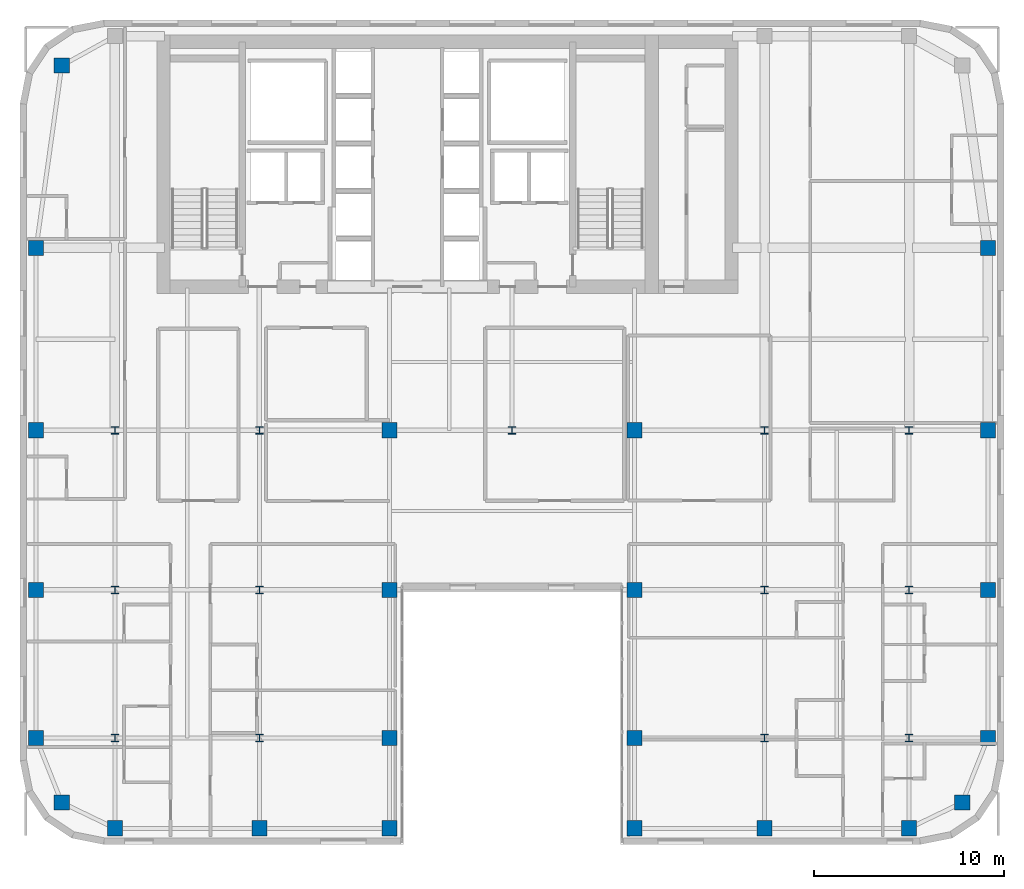
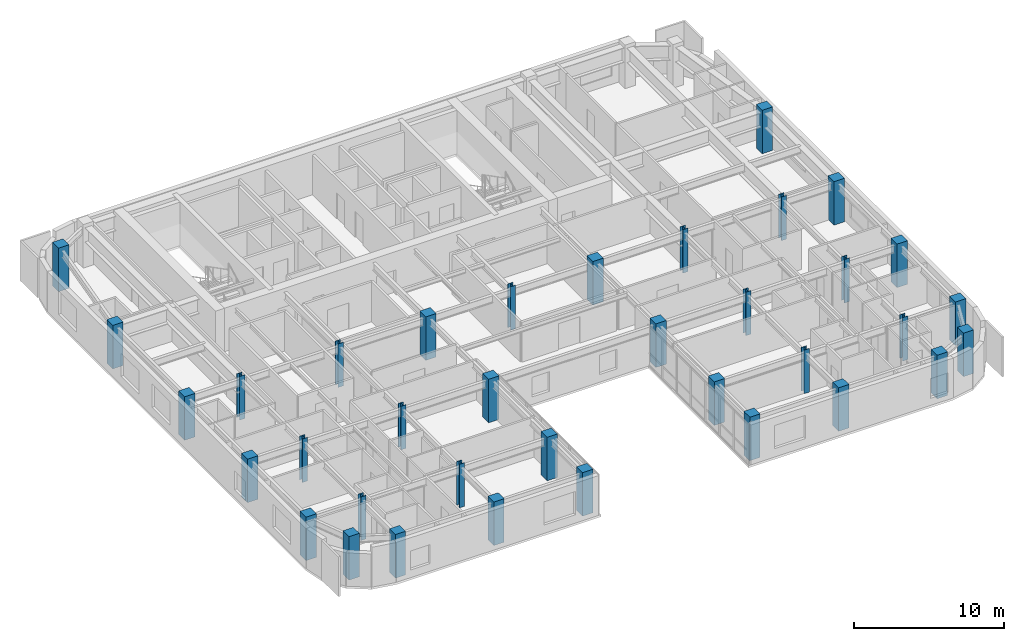
# One storey, part 1 of 14: 36 columns.
"""IFC4 building model written with IfcOpenShell, lengths in metres."""

import ifcopenshell
import ifcopenshell.guid

model = None  # the IFC model being written
_history = None  # IfcOwnerHistory: only IFC2X3 demands one
_inside = {}  # id of a spatial element -> (the spatial element, [elements in it])
_under = {}  # id of a project, library or spatial element -> (it, [spatial elements below it])
_declared = {}  # id of a project -> (the project, [libraries it declares])
_typed = {}  # id of a type object -> (the type object, [elements of that type])
_made_of = {}  # id of a material, layer set ... -> (it, [elements and type objects made of it])


def new_model(schema):
    """Start an empty IFC model of exactly this schema.

    Asked for "IFC4X3", IfcOpenShell would pick the latest addendum, in which some entities
    have other attributes; the version numbers below select the first issue.
    IFC2X3 requires an IfcOwnerHistory on every rooted entity: one is made here for all.
    """
    global model, _history
    if schema == "IFC4X3":
        model = ifcopenshell.file(schema_version=(4, 3, 0, 0))
    else:
        model = ifcopenshell.file(schema=schema)
    _inside.clear()
    _under.clear()
    _declared.clear()
    _typed.clear()
    _made_of.clear()
    _history = None
    if model.schema == "IFC2X3":
        org = make("IfcOrganization", Name="unknown")
        user = make(
            "IfcPersonAndOrganization",
            ThePerson=make("IfcPerson", FamilyName="unknown"),
            TheOrganization=org,
        )
        app = make(
            "IfcApplication",
            ApplicationDeveloper=org,
            Version="unknown",
            ApplicationFullName="unknown",
            ApplicationIdentifier="unknown",
        )
        _history = make(
            "IfcOwnerHistory",
            OwningUser=user,
            OwningApplication=app,
            ChangeAction="ADDED",
            CreationDate=0,
        )
    return model


def make(cls, **values):
    """One entity of the class cls with the attributes given. An attribute that is None is left unset."""
    return model.create_entity(
        cls, **{name: value for name, value in values.items() if value is not None}
    )


def rooted(cls, **values):
    """An entity with a GlobalId (a new one), such as an element, a storey or a relation."""
    return make(cls, GlobalId=ifcopenshell.guid.new(), OwnerHistory=_history, **values)


def si_unit(unit_type, name, prefix=None):
    """IfcSIUnit, for example si_unit("LENGTHUNIT", "METRE", prefix="MILLI")."""
    return make("IfcSIUnit", UnitType=unit_type, Prefix=prefix, Name=name)


def assignment(units):
    """IfcUnitAssignment: the units of a project."""
    return None if units is None else make("IfcUnitAssignment", Units=units)


def point(xyz):
    """IfcCartesianPoint."""
    return None if xyz is None else make("IfcCartesianPoint", Coordinates=xyz)


def direction(xyz):
    """IfcDirection."""
    return None if xyz is None else make("IfcDirection", DirectionRatios=xyz)


def frame(location, z_axis=None, x_axis=None):
    """IfcAxis2Placement3D, a coordinate frame: its origin and axes. An axis left out is left unset."""
    return make(
        "IfcAxis2Placement3D",
        Location=point(location),
        Axis=direction(z_axis),
        RefDirection=direction(x_axis),
    )


def frame_2d(location, x_axis=None):
    """IfcAxis2Placement2D, a coordinate frame in the plane: its origin and x axis."""
    return make(
        "IfcAxis2Placement2D", Location=point(location), RefDirection=direction(x_axis)
    )


def origin():
    """The frame at (0, 0, 0) with its axes left unset."""
    return frame((0.0, 0.0, 0.0))


def origin_2d():
    """The frame at (0, 0) in the plane with its x axis left unset."""
    return frame_2d((0.0, 0.0))


def place(relative_to, where):
    """IfcLocalPlacement: puts the frame where relative to a parent placement (None: the world)."""
    return make(
        "IfcLocalPlacement", PlacementRelTo=relative_to, RelativePlacement=where
    )


def context(
    kind, dimensions, precision=None, world=None, true_north=None, identifier=None
):
    """IfcGeometricRepresentationContext, for example the 3D "Model" context."""
    return make(
        "IfcGeometricRepresentationContext",
        ContextIdentifier=identifier,
        ContextType=kind,
        CoordinateSpaceDimension=dimensions,
        Precision=precision,
        WorldCoordinateSystem=world,
        TrueNorth=true_north,
    )


def subcontext(parent, identifier, kind, view, scale=None):
    """IfcGeometricRepresentationSubContext, for example "Body" below "Model"."""
    return make(
        "IfcGeometricRepresentationSubContext",
        ContextIdentifier=identifier,
        ContextType=kind,
        ParentContext=parent,
        TargetScale=scale,
        TargetView=view,
    )


def project(units=None, contexts=None):
    """IfcProject with its units and contexts."""
    return rooted(
        "IfcProject",
        Name="project",
        RepresentationContexts=contexts,
        UnitsInContext=assignment(units),
    )


def spatial(cls, under=None, at=None, **own):
    """A site, building, storey or space (cls), placed at a placement, below another one or the project."""
    s = rooted(cls, ObjectPlacement=at, **own)
    if under is not None:
        _under.setdefault(under.id(), (under, []))[1].append(s)
    return s


def profile(cls, at=None, kind="AREA", **sizes):
    """A parametric profile (cls). Its sizes go by their IFC names, for example OverallWidth=200.0."""
    return make(cls, ProfileType=kind, Position=at, **sizes)


def rectangle(**sizes):
    """IfcRectangleProfileDef."""
    return profile("IfcRectangleProfileDef", **sizes)


def i_section(**sizes):
    """IfcIShapeProfileDef."""
    return profile("IfcIShapeProfileDef", **sizes)


def extrude(swept, where, along, depth):
    """IfcExtrudedAreaSolid: the profile swept, set in the frame where, extruded along a direction by depth."""
    return make(
        "IfcExtrudedAreaSolid",
        SweptArea=swept,
        Position=where,
        ExtrudedDirection=direction(along),
        Depth=depth,
    )


def shape(context_of_items, identifier, shape_type, items):
    """IfcShapeRepresentation: the items that make up one representation, for example the "Body"."""
    return make(
        "IfcShapeRepresentation",
        ContextOfItems=context_of_items,
        RepresentationIdentifier=identifier,
        RepresentationType=shape_type,
        Items=items,
    )


def source(mapping_origin, context_of_items, identifier, shape_type, items):
    """IfcRepresentationMap: a shape defined once, which mapped items show again and again."""
    return make(
        "IfcRepresentationMap",
        MappingOrigin=mapping_origin,
        MappedRepresentation=shape(context_of_items, identifier, shape_type, items),
    )


def transform(
    local_origin,
    x_axis=None,
    y_axis=None,
    z_axis=None,
    scale=None,
    scale2=None,
    scale3=None,
    uniform=True,
):
    """IfcCartesianTransformationOperator3D, or its non-uniform kind. x_axis, y_axis, z_axis: its Axis1, 2, 3."""
    if uniform:
        return make(
            "IfcCartesianTransformationOperator3D",
            Axis1=direction(x_axis),
            Axis2=direction(y_axis),
            LocalOrigin=point(local_origin),
            Scale=scale,
            Axis3=direction(z_axis),
        )
    return make(
        "IfcCartesianTransformationOperator3DnonUniform",
        Axis1=direction(x_axis),
        Axis2=direction(y_axis),
        LocalOrigin=point(local_origin),
        Scale=scale,
        Axis3=direction(z_axis),
        Scale2=scale2,
        Scale3=scale3,
    )


def mapped(mapping_source, mapping_target):
    """IfcMappedItem: shows the shape of a source again, moved by a transform."""
    return make(
        "IfcMappedItem", MappingSource=mapping_source, MappingTarget=mapping_target
    )


def material(Name=None, Category=None):
    """IfcMaterial."""
    return make("IfcMaterial", Name=Name, Category=Category)


def material_profile(
    of_material, cross_section, Name=None, Category=None, Priority=None
):
    """IfcMaterialProfile: a cross section and its material."""
    return make(
        "IfcMaterialProfile",
        Name=Name,
        Material=of_material,
        Profile=cross_section,
        Priority=Priority,
        Category=Category,
    )


def profile_set(profiles, Name=None, composite=None):
    """IfcMaterialProfileSet."""
    return make(
        "IfcMaterialProfileSet",
        Name=Name,
        MaterialProfiles=profiles,
        CompositeProfile=composite,
    )


def made_of(thing, what):
    """Note that an element or type object is made of a material, layer set ...; save() writes the relation."""
    if what is not None:
        _made_of.setdefault(what.id(), (what, []))[1].append(thing)
    return thing


def type_object(cls, material=None, **own):
    """A type object (cls), such as IfcWallType, which elements share."""
    return made_of(rooted(cls, **own), material)


def type_shapes(of_type, sources):
    """Give a type object the sources (RepresentationMaps) that its elements show as mapped items."""
    of_type.RepresentationMaps = sources


def element(
    cls,
    number,
    at=None,
    inside=None,
    cuts=None,
    type_object=None,
    material=None,
    context=None,
    identifier="Body",
    shape_type=None,
    held_by="IfcProductDefinitionShape",
    body=None,
    shapes=None,
    **own,
):
    """One element of the class cls, such as IfcWall. Its Tag is "e" and its number.

    at: its placement. inside: the storey or other place that contains it. cuts: it is an
    opening in that element (IfcRelVoidsElement). A single representation is given by context,
    identifier, shape_type and body (its items); several are given by shapes. held_by: the class
    of the entity that holds the representations. save() writes the other relations.
    """
    e = rooted(cls, Tag="e%d" % number, ObjectPlacement=at, **own)
    if body is not None:
        shapes = [shape(context, identifier, shape_type, body)]
    if shapes is not None:
        e.Representation = make(held_by, Representations=shapes)
    if inside is not None:
        _inside.setdefault(inside.id(), (inside, []))[1].append(e)
    if cuts is not None:
        rooted(
            "IfcRelVoidsElement", RelatingBuildingElement=cuts, RelatedOpeningElement=e
        )
    if type_object is not None:
        _typed.setdefault(type_object.id(), (type_object, []))[1].append(e)
    return made_of(e, material)


def aggregate(whole, parts):
    """IfcRelAggregates: a whole, such as a stair, and the parts it consists of."""
    return rooted("IfcRelAggregates", RelatingObject=whole, RelatedObjects=parts)


def save(model, path):
    """Write the relations noted so far, then the file.

    IfcRelAggregates (storeys below a building ...), IfcRelContainedInSpatialStructure (elements
    in a storey), IfcRelDefinesByType, IfcRelAssociatesMaterial and IfcRelDeclares: one each for
    every whole, place, type object, material and project.
    """
    for whole, parts in _under.values():
        aggregate(whole, parts)
    for where, things in _inside.values():
        rooted(
            "IfcRelContainedInSpatialStructure",
            RelatedElements=things,
            RelatingStructure=where,
        )
    for kind, things in _typed.values():
        rooted("IfcRelDefinesByType", RelatedObjects=things, RelatingType=kind)
    for what, things in _made_of.values():
        rooted("IfcRelAssociatesMaterial", RelatedObjects=things, RelatingMaterial=what)
    for by, libraries in _declared.values():
        rooted("IfcRelDeclares", RelatingContext=by, RelatedDefinitions=libraries)
    model.write(path)


model = new_model("IFC4")

# Units and contexts
model_context = context("Model", 3, precision=1e-05, world=origin(), true_north=direction((0.0, 1.0)))
body_context = subcontext(model_context, "Body", "Model", "MODEL_VIEW")
ifc_project = project(units=[si_unit("LENGTHUNIT", "METRE"), si_unit("AREAUNIT", "SQUARE_METRE"), si_unit("VOLUMEUNIT", "CUBIC_METRE"), si_unit("PLANEANGLEUNIT", "RADIAN"), si_unit("MASSUNIT", "GRAM", prefix="KILO")], contexts=[model_context])

# Site, building, storey
site_placement = place(None, origin())
site = spatial("IfcSite", under=ifc_project, at=site_placement, CompositionType="ELEMENT")
building_placement = place(site_placement, origin())
building = spatial("IfcBuilding", under=site, at=building_placement, Name="Tolvann Quenvar Hotel", CompositionType="ELEMENT")
storey_placement = place(building_placement, frame((0.0, 0.0, 179.0)))
storey = spatial("IfcBuildingStorey", under=building, at=storey_placement, Name="L47", CompositionType="ELEMENT", Elevation=179.0)

# Columns
ifc_material_1 = material(Name="Concrete N50 (50 MPa)", Category="concrete")
ifc_material_profile_1 = material_profile(ifc_material_1, rectangle(XDim=0.800048828125, YDim=0.800048828125, at=origin_2d()), Name="RC800x800")
ifc_profile_set_1 = profile_set([ifc_material_profile_1], Name="Concrete N50 (50 MPa)")
column_type_1 = type_object("IfcColumnType", Name="COL_RC800", PredefinedType="COLUMN", material=ifc_profile_set_1)
shared_shape_1 = source(origin(), body_context, "Body", "SweptSolid", [
    extrude(rectangle(XDim=0.800048828125, YDim=0.800048828125, at=origin_2d()), origin(), (0.0, 0.0, 1.0), 3.550048828125),
])
type_shapes(column_type_1, [shared_shape_1])
for number, where, z_axis, x_axis, name in (
    (1, (4.800048828125, 4.800048828125, 0.0), (0.0, 0.0, 1.0), (1.0, 0.0, 0.0), "Column B2 (L47)"),
    (2, (3.449951171875, 8.199951171875, 0.0), (0.0, 0.0, 1.0), (1.0, 0.0, 0.0), "Column B3 (L47)"),
    (3, (3.449951171875, 16.0, 0.0), (0.0, 0.0, 1.0), (1.0, 0.0, 0.0), "Column B4 (L47)"),
    (4, (3.449951171875, 24.39990234375, 0.0), (0.0, 0.0, 1.0), (1.0, 0.0, 0.0), "Column B5 (L47)"),
    (5, (7.60009765625, 3.449951171875, 0.0), (0.0, 0.0, 1.0), (1.0, 0.0, 0.0), "Column C2 (L47)"),
    (6, (15.199951171875, 3.449951171875, 0.0), (0.0, 0.0, 1.0), (1.0, 0.0, 0.0), "Column D2 (L47)"),
    (7, (22.050048828125, 3.449951171875, 0.0), (0.0, 0.0, 1.0), (1.0, 0.0, 0.0), "Column E2 (L47)"),
    (8, (22.050048828125, 8.199951171875, 0.0), (0.0, 0.0, 1.0), (1.0, 0.0, 0.0), "Column E3 (L47)"),
    (9, (22.050048828125, 16.0, 0.0), (0.0, 0.0, 1.0), (1.0, 0.0, 0.0), "Column E4 (L47)"),
    (10, (22.050048828125, 24.39990234375, 0.0), (0.0, 0.0, 1.0), (1.0, 0.0, 0.0), "Column E5 (L47)"),
    (11, (34.949951171875, 3.449951171875, 0.0), (0.0, 0.0, 1.0), (1.0, 0.0, 0.0), "Column F2 (L47)"),
    (12, (34.949951171875, 8.199951171875, 0.0), (0.0, 0.0, 1.0), (1.0, 0.0, 0.0), "Column F3 (L47)"),
    (13, (34.949951171875, 16.0, 0.0), (0.0, 0.0, 1.0), (1.0, 0.0, 0.0), "Column F4 (L47)"),
    (14, (34.949951171875, 24.39990234375, 0.0), (0.0, 0.0, 1.0), (1.0, 0.0, 0.0), "Column F5 (L47)"),
    (15, (41.800048828125, 3.449951171875, 0.0), (0.0, 0.0, 1.0), (1.0, 0.0, 0.0), "Column H2 (L47)"),
    (16, (49.39990234375, 3.449951171875, 0.0), (0.0, 0.0, 1.0), (1.0, 0.0, 0.0), "Column I2 (L47)"),
    (17, (52.199951171875, 4.800048828125, 0.0), (0.0, 0.0, 1.0), (1.0, 0.0, 0.0), "Column J2 (L47)"),
    (18, (53.550048828125, 8.199951171875, 0.0), (0.0, 0.0, 1.0), (1.0, 0.0, 0.0), "Column J3 (L47)"),
    (19, (53.550048828125, 16.0, 0.0), (0.0, 0.0, 1.0), (1.0, 0.0, 0.0), "Column J4 (L47)"),
    (20, (53.550048828125, 24.39990234375, 0.0), (0.0, 0.0, 1.0), (1.0, 0.0, 0.0), "Column J5 (L47)"),
    (21, (4.800048828125, 43.60009765625, 0.0), (0.0, 0.0, 1.0), (1.0, 0.0, 0.0), "Column BN (L47)"),
    (22, (3.449951171875, 34.0, 0.0), (0.0, 0.0, 1.0), (1.0, 0.0, 0.0), "Column BD6 (L47)"),
    (23, (53.550048828125, 34.0, 0.0), (0.0, 0.0, 1.0), (1.0, 0.0, 0.0), "Column JD6 (L47)"),
):
    element("IfcColumn", number, at=place(storey_placement, frame(where, z_axis=z_axis, x_axis=x_axis)), inside=storey, type_object=column_type_1, Name=name, PredefinedType="COLUMN", context=body_context, shape_type="MappedRepresentation", body=[
        mapped(shared_shape_1, transform((0.0, 0.0, 0.0), x_axis=(1.0, 0.0, 0.0), y_axis=(0.0, 1.0, 0.0), z_axis=(0.0, 0.0, 1.0), scale=1.0)),
    ])
ifc_material_2 = material(Name="Steel Grade 350", Category="steel")
ifc_material_profile_2 = material_profile(ifc_material_2, i_section(OverallWidth=0.39990234375, OverallDepth=0.39990234375, WebThickness=0.02001953125, FlangeThickness=0.034912109375, at=origin_2d()), Name="400WC270")
ifc_profile_set_2 = profile_set([ifc_material_profile_2], Name="Steel Grade 350")
column_type_2 = type_object("IfcColumnType", Name="COL_400WC270", PredefinedType="COLUMN", material=ifc_profile_set_2)
shared_shape_2 = source(origin(), body_context, "Body", "SweptSolid", [
    extrude(i_section(OverallWidth=0.39990234375, OverallDepth=0.39990234375, WebThickness=0.02001953125, FlangeThickness=0.034912109375, at=origin_2d()), origin(), (0.0, 0.0, 1.0), 3.550048828125),
])
type_shapes(column_type_2, [shared_shape_2])
for number, where, z_axis, x_axis, name in (
    (24, (7.60009765625, 8.199951171875, 0.0), (0.0, 0.0, 1.0), (1.0, 0.0, 0.0), "Column C3 (L47)"),
    (25, (7.60009765625, 16.0, 0.0), (0.0, 0.0, 1.0), (1.0, 0.0, 0.0), "Column C4 (L47)"),
    (26, (7.60009765625, 24.39990234375, 0.0), (0.0, 0.0, 1.0), (1.0, 0.0, 0.0), "Column C5 (L47)"),
    (27, (15.199951171875, 8.199951171875, 0.0), (0.0, 0.0, 1.0), (1.0, 0.0, 0.0), "Column D3 (L47)"),
    (28, (15.199951171875, 16.0, 0.0), (0.0, 0.0, 1.0), (1.0, 0.0, 0.0), "Column D4 (L47)"),
    (29, (15.199951171875, 24.39990234375, 0.0), (0.0, 0.0, 1.0), (1.0, 0.0, 0.0), "Column D5 (L47)"),
    (30, (41.800048828125, 8.199951171875, 0.0), (0.0, 0.0, 1.0), (1.0, 0.0, 0.0), "Column H3 (L47)"),
    (31, (41.800048828125, 16.0, 0.0), (0.0, 0.0, 1.0), (1.0, 0.0, 0.0), "Column H4 (L47)"),
    (32, (41.800048828125, 24.39990234375, 0.0), (0.0, 0.0, 1.0), (1.0, 0.0, 0.0), "Column H5 (L47)"),
    (33, (49.39990234375, 8.199951171875, 0.0), (0.0, 0.0, 1.0), (1.0, 0.0, 0.0), "Column I3 (L47)"),
    (34, (49.39990234375, 16.0, 0.0), (0.0, 0.0, 1.0), (1.0, 0.0, 0.0), "Column I4 (L47)"),
    (35, (49.39990234375, 24.39990234375, 0.0), (0.0, 0.0, 1.0), (1.0, 0.0, 0.0), "Column I5 (L47)"),
    (36, (28.5, 24.39990234375, 0.0), (0.0, 0.0, 1.0), (1.0, 0.0, 0.0), "Column M5 (L47)"),
):
    element("IfcColumn", number, at=place(storey_placement, frame(where, z_axis=z_axis, x_axis=x_axis)), inside=storey, type_object=column_type_2, Name=name, PredefinedType="COLUMN", context=body_context, shape_type="MappedRepresentation", body=[
        mapped(shared_shape_2, transform((0.0, 0.0, 0.0), x_axis=(1.0, 0.0, 0.0), y_axis=(0.0, 1.0, 0.0), z_axis=(0.0, 0.0, 1.0), scale=1.0)),
    ])

save(model, "model.ifc")
